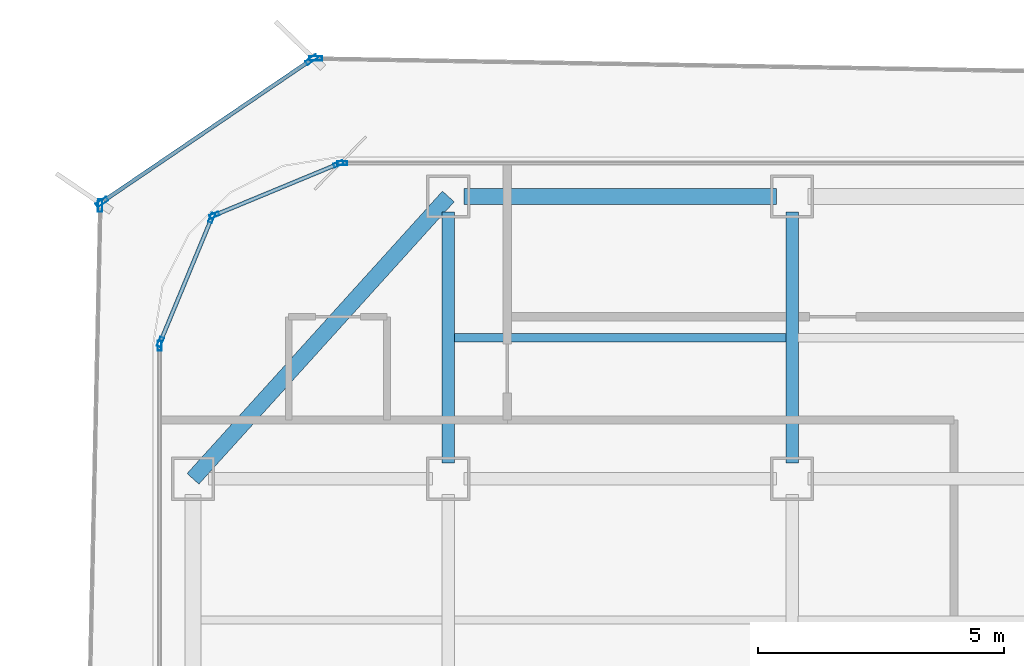
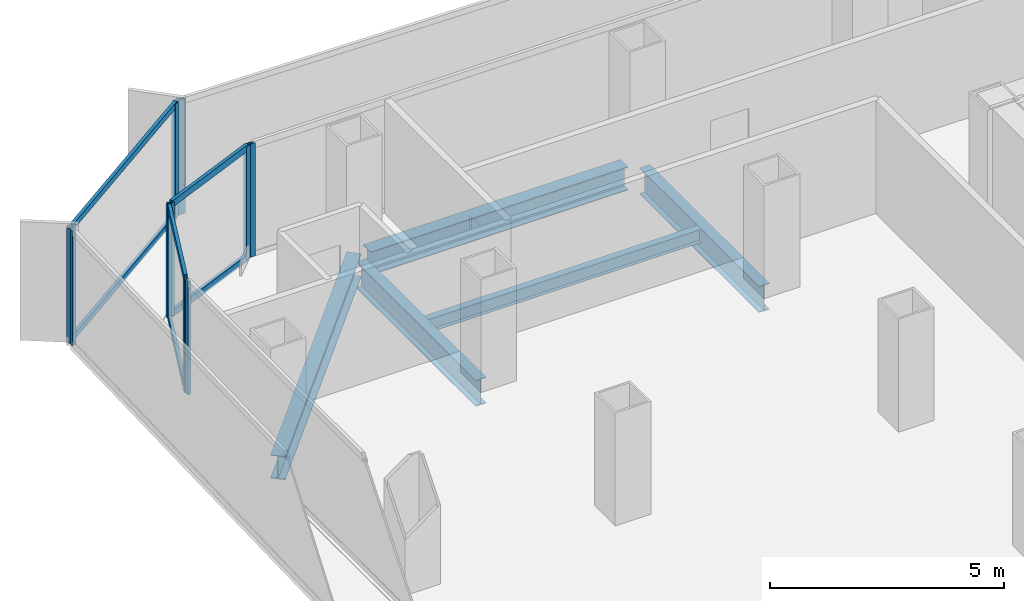
# One storey, part 10 of 21: 16 members, 5 beams, 7 elements without a shape of their own.
"""IFC4 building model written with IfcOpenShell, lengths in metres."""

from ifc_helpers import new_model, si_unit, direction, frame, origin, origin_2d, place, context, subcontext, project, spatial, hollow_rectangle, i_section, extrude, source, transform, mapped, material, layer, layer_set, material_profile, profile_set, type_object, element, aggregate, save


model = new_model("IFC4")

# Units and contexts
model_context = context("Model", 3, precision=1e-05, world=origin(), true_north=direction((0.0, 1.0)))
body_context = subcontext(model_context, "Body", "Model", "MODEL_VIEW")
ifc_project = project(units=[si_unit("LENGTHUNIT", "METRE"), si_unit("AREAUNIT", "SQUARE_METRE"), si_unit("VOLUMEUNIT", "CUBIC_METRE"), si_unit("PLANEANGLEUNIT", "RADIAN"), si_unit("MASSUNIT", "GRAM", prefix="KILO")], contexts=[model_context])

# Site, building, storey
site_placement = place(None, origin())
site = spatial("IfcSite", under=ifc_project, at=site_placement, CompositionType="ELEMENT")
building_placement = place(site_placement, origin())
building = spatial("IfcBuilding", under=site, at=building_placement, Name="Kolveth Station Tower", CompositionType="ELEMENT")
storey_placement = place(building_placement, frame((0.0, 0.0, 121.5)))
storey = spatial("IfcBuildingStorey", under=building, at=storey_placement, Name="L33", CompositionType="ELEMENT", Elevation=121.5)

# Beams
ifc_material_1 = material(Name="Steel S355", Category="steel")
ifc_material_profile_1 = material_profile(ifc_material_1, i_section(OverallWidth=0.323974609375, OverallDepth=0.611083984375, WebThickness=0.0126953125, FlangeThickness=0.01904296875, at=origin_2d()), Name="W610x155")
ifc_profile_set_1 = profile_set([ifc_material_profile_1], Name="Steel S355")
beam_type_1 = type_object("IfcBeamType", Name="Beam_SP2", PredefinedType="SPANDREL", material=ifc_profile_set_1)
shared_shape_1 = source(origin(), body_context, "Body", "SweptSolid", [
    extrude(i_section(OverallWidth=0.323974609375, OverallDepth=0.611083984375, WebThickness=0.0126953125, FlangeThickness=0.01904296875, at=origin_2d()), origin(), (0.0, 0.0, 1.0), 6.35986328125),
])
beam_1_placement = place(storey_placement, frame((6.320068359375, 34.5, -0.555419921875), z_axis=(1.0, 0.0, 0.0), x_axis=(0.0, 1.0, 0.0)))
element("IfcBeam", 1, at=beam_1_placement, inside=storey, type_object=beam_type_1, Name="L33 Perimeter Spandrel BM-L33-PN-1", PredefinedType="SPANDREL", context=body_context, shape_type="MappedRepresentation", body=[
    mapped(shared_shape_1, transform((0.0, 0.0, 0.0), x_axis=(1.0, 0.0, 0.0), y_axis=(0.0, 1.0, 0.0), z_axis=(0.0, 0.0, 1.0), scale=1.0)),
])
shared_shape_2 = source(origin(), body_context, "Body", "SweptSolid", [
    extrude(i_section(OverallWidth=0.323974609375, OverallDepth=0.611083984375, WebThickness=0.0126953125, FlangeThickness=0.01904296875, at=origin_2d()), origin(), (0.0, 0.0, 1.0), 7.75244140625),
])
beam_2_placement = place(storey_placement, frame((6.0, 34.5, -0.555419921875), z_axis=(-0.670740965555, -0.74169168603, 0.0), x_axis=(0.74169168603, -0.670740965555, 0.0)))
element("IfcBeam", 2, at=beam_2_placement, inside=storey, type_object=beam_type_1, Name="L33 Corner Edge Girder BM-L33-CNR-NW", PredefinedType="SPANDREL", context=body_context, shape_type="MappedRepresentation", body=[
    mapped(shared_shape_2, transform((0.0, 0.0, 0.0), x_axis=(1.0, 0.0, 0.0), y_axis=(0.0, 1.0, 0.0), z_axis=(0.0, 0.0, 1.0), scale=1.0)),
])
ifc_material_profile_2 = material_profile(ifc_material_1, i_section(OverallWidth=0.25390625, OverallDepth=0.68798828125, WebThickness=0.01318359375, FlangeThickness=0.02099609375, at=origin_2d()), Name="W690x152")
ifc_profile_set_2 = profile_set([ifc_material_profile_2], Name="Steel S355")
beam_type_2 = type_object("IfcBeamType", Name="Beam_B4", PredefinedType="BEAM", material=ifc_profile_set_2)
shared_shape_3 = source(origin(), body_context, "Body", "SweptSolid", [
    extrude(i_section(OverallWidth=0.25390625, OverallDepth=0.68798828125, WebThickness=0.01318359375, FlangeThickness=0.02099609375, at=origin_2d()), origin(), (0.0, 0.0, 1.0), 5.10986328125),
])
for number, where, z_axis, x_axis, name in (
    (3, (6.0, 29.070068359375, -0.593994140625), (0.0, 1.0, 0.0), (-1.0, 0.0, 0.0), "L33 Primary Girder BM-L33-GX60-6"),
    (4, (13.0, 29.070068359375, -0.593994140625), (0.0, 1.0, 0.0), (-1.0, 0.0, 0.0), "L33 Primary Girder BM-L33-GX130-6"),
):
    element("IfcBeam", number, at=place(storey_placement, frame(where, z_axis=z_axis, x_axis=x_axis)), inside=storey, type_object=beam_type_2, Name=name, PredefinedType="BEAM", context=body_context, shape_type="MappedRepresentation", body=[
        mapped(shared_shape_3, transform((0.0, 0.0, 0.0), x_axis=(1.0, 0.0, 0.0), y_axis=(0.0, 1.0, 0.0), z_axis=(0.0, 0.0, 1.0), scale=1.0)),
    ])
ifc_material_profile_3 = material_profile(ifc_material_1, i_section(OverallWidth=0.1708984375, OverallDepth=0.35205078125, WebThickness=0.0068359375, FlangeThickness=0.009765625, at=origin_2d()), Name="W360x44")
ifc_profile_set_3 = profile_set([ifc_material_profile_3], Name="Steel S355")
beam_type_3 = type_object("IfcBeamType", Name="Beam_J2", PredefinedType="JOIST", material=ifc_profile_set_3)
shared_shape_4 = source(origin(), body_context, "Body", "SweptSolid", [
    extrude(i_section(OverallWidth=0.1708984375, OverallDepth=0.35205078125, WebThickness=0.0068359375, FlangeThickness=0.009765625, at=origin_2d()), origin(), (0.0, 0.0, 1.0), 6.75),
])
beam_3_placement = place(storey_placement, frame((6.125, 31.625, -0.426025390625), z_axis=(1.0, 0.0, 0.0), x_axis=(0.0, 1.0, 0.0)))
element("IfcBeam", 5, at=beam_3_placement, inside=storey, type_object=beam_type_3, Name="L33 Secondary Joist JST-L33-2-6", PredefinedType="JOIST", context=body_context, shape_type="MappedRepresentation", body=[
    mapped(shared_shape_4, transform((0.0, 0.0, 0.0), x_axis=(1.0, 0.0, 0.0), y_axis=(0.0, 1.0, 0.0), z_axis=(0.0, 0.0, 1.0), scale=1.0)),
])

# Curtain wall, member
ifc_material_2 = material(Name="Aluminium 6063-T6 and low-E dark glass", Category="aluminium")
ifc_layer_1 = layer(ifc_material_2, 0.18994140625)
ifc_layer_set_1 = layer_set([ifc_layer_1], Name="Aluminium 6063-T6 and low-E dark glass")
curtain_wall_type_1 = type_object("IfcCurtainWallType", Name="CurtainWall_CW-Z2", PredefinedType="NOTDEFINED", material=ifc_layer_set_1)
curtain_wall_1_placement = place(storey_placement, origin())
curtain_wall_1 = element("IfcCurtainWall", 6, at=curtain_wall_1_placement, inside=storey, type_object=curtain_wall_type_1, Name="L33 Inner Thermal Curtain Wall 6", PredefinedType="NOTDEFINED")
ifc_material_3 = material(Name="Black anodized aluminium 6063-T6", Category="aluminium")
ifc_material_profile_4 = material_profile(ifc_material_3, hollow_rectangle(XDim=0.080078125, YDim=0.199951171875, WallThickness=0.0048828125, at=origin_2d()), Name="ALU-80x200x5")
ifc_profile_set_4 = profile_set([ifc_material_profile_4], Name="Black anodized aluminium 6063-T6")
member_type_1 = type_object("IfcMemberType", Name="Mullion_ML2", PredefinedType="MULLION", material=ifc_profile_set_4)
shared_shape_5 = source(origin(), body_context, "Body", "SweptSolid", [
    extrude(hollow_rectangle(XDim=0.080078125, YDim=0.199951171875, WallThickness=0.0048828125, at=origin_2d()), origin(), (0.0, 0.0, 1.0), 2.949951171875),
])
member_1_placement = place(storey_placement, frame((3.840087890625, 35.179931640625, 0.0), z_axis=(0.0, 0.0, 1.0), x_axis=(0.0, -1.0, 0.0)))
member_1 = element("IfcMember", 7, at=member_1_placement, type_object=member_type_1, Name="CW-Z2 mullion 3", PredefinedType="MULLION", context=body_context, shape_type="MappedRepresentation", body=[
    mapped(shared_shape_5, transform((0.0, 0.0, 0.0), x_axis=(1.0, 0.0, 0.0), y_axis=(0.0, 1.0, 0.0), z_axis=(0.0, 0.0, 1.0), scale=1.0)),
])
aggregate(curtain_wall_1, [member_1])

# Curtain wall, members
curtain_wall_2_placement = place(storey_placement, origin())
curtain_wall_2 = element("IfcCurtainWall", 8, at=curtain_wall_2_placement, inside=storey, type_object=curtain_wall_type_1, Name="L33 Inner Thermal Curtain Wall 7", PredefinedType="NOTDEFINED")
member_2_placement = place(storey_placement, frame((3.762939453125, 35.164794921875, 0.0), z_axis=(0.0, 0.0, 1.0), x_axis=(0.38266326998, -0.923887883787, 0.0)))
member_2 = element("IfcMember", 9, at=member_2_placement, type_object=member_type_1, Name="CW-Z2 mullion 1", PredefinedType="MULLION", context=body_context, shape_type="MappedRepresentation", body=[
    mapped(shared_shape_5, transform((0.0, 0.0, 0.0), x_axis=(1.0, 0.0, 0.0), y_axis=(0.0, 1.0, 0.0), z_axis=(0.0, 0.0, 1.0), scale=1.0)),
])
member_3_placement = place(storey_placement, frame((1.23486328125, 34.117431640625, 0.0), z_axis=(0.0, 0.0, 1.0), x_axis=(0.38266326998, -0.923887883787, 0.0)))
member_3 = element("IfcMember", 10, at=member_3_placement, type_object=member_type_1, Name="CW-Z2 mullion 2", PredefinedType="MULLION", context=body_context, shape_type="MappedRepresentation", body=[
    mapped(shared_shape_5, transform((0.0, 0.0, 0.0), x_axis=(1.0, 0.0, 0.0), y_axis=(0.0, 1.0, 0.0), z_axis=(0.0, 0.0, 1.0), scale=1.0)),
])

curtain_wall_3_placement = place(storey_placement, origin())
curtain_wall_3 = element("IfcCurtainWall", 11, at=curtain_wall_3_placement, inside=storey, type_object=curtain_wall_type_1, Name="L33 Inner Thermal Curtain Wall 8", PredefinedType="NOTDEFINED")
member_4_placement = place(storey_placement, frame((1.182373046875, 34.065185546875, 0.0), z_axis=(0.0, 0.0, 1.0), x_axis=(0.923887883787, -0.38266326998, 0.0)))
member_4 = element("IfcMember", 12, at=member_4_placement, type_object=member_type_1, Name="CW-Z2 mullion 1", PredefinedType="MULLION", context=body_context, shape_type="MappedRepresentation", body=[
    mapped(shared_shape_5, transform((0.0, 0.0, 0.0), x_axis=(1.0, 0.0, 0.0), y_axis=(0.0, 1.0, 0.0), z_axis=(0.0, 0.0, 1.0), scale=1.0)),
])
member_5_placement = place(storey_placement, frame((0.13525390625, 31.536865234375, 0.0), z_axis=(0.0, 0.0, 1.0), x_axis=(0.923887883787, -0.38266326998, 0.0)))
member_5 = element("IfcMember", 13, at=member_5_placement, type_object=member_type_1, Name="CW-Z2 mullion 2", PredefinedType="MULLION", context=body_context, shape_type="MappedRepresentation", body=[
    mapped(shared_shape_5, transform((0.0, 0.0, 0.0), x_axis=(1.0, 0.0, 0.0), y_axis=(0.0, 1.0, 0.0), z_axis=(0.0, 0.0, 1.0), scale=1.0)),
])

# Curtain wall, member
curtain_wall_4_placement = place(storey_placement, origin())
curtain_wall_4 = element("IfcCurtainWall", 14, at=curtain_wall_4_placement, inside=storey, type_object=curtain_wall_type_1, Name="L33 Inner Thermal Curtain Wall 9", PredefinedType="NOTDEFINED")
member_6_placement = place(storey_placement, frame((0.1201171875, 31.4599609375, 0.0), z_axis=(0.0, 0.0, 1.0), x_axis=(1.0, 0.0, 0.0)))
member_6 = element("IfcMember", 15, at=member_6_placement, type_object=member_type_1, Name="CW-Z2 mullion 1", PredefinedType="MULLION", context=body_context, shape_type="MappedRepresentation", body=[
    mapped(shared_shape_5, transform((0.0, 0.0, 0.0), x_axis=(1.0, 0.0, 0.0), y_axis=(0.0, 1.0, 0.0), z_axis=(0.0, 0.0, 1.0), scale=1.0)),
])
aggregate(curtain_wall_4, [member_6])

# Member
ifc_material_profile_5 = material_profile(ifc_material_3, hollow_rectangle(XDim=0.080078125, YDim=0.169921875, WallThickness=0.0048828125, at=origin_2d()), Name="ALU-80x170x5")
ifc_profile_set_5 = profile_set([ifc_material_profile_5], Name="Black anodized aluminium 6063-T6")
member_type_2 = type_object("IfcMemberType", Name="Transom_TR2", PredefinedType="USERDEFINED", material=ifc_profile_set_5)
shared_shape_6 = source(origin(), body_context, "Body", "SweptSolid", [
    extrude(hollow_rectangle(XDim=0.080078125, YDim=0.169921875, WallThickness=0.0048828125, at=origin_2d()), origin(), (0.0, 0.0, 1.0), 2.656494140625),
])
member_7_placement = place(storey_placement, frame((3.72607421875, 35.1494140625, 0.0400390625), z_axis=(-0.923882422403, -0.382676455475, 0.0), x_axis=(0.382676455475, -0.923882422403, 0.0)))
member_7 = element("IfcMember", 16, at=member_7_placement, type_object=member_type_2, Name="CW-Z2 transom 1.1", ObjectType="TRANSOM", PredefinedType="USERDEFINED", context=body_context, shape_type="MappedRepresentation", body=[
    mapped(shared_shape_6, transform((0.0, 0.0, 0.0), x_axis=(1.0, 0.0, 0.0), y_axis=(0.0, 1.0, 0.0), z_axis=(0.0, 0.0, 1.0), scale=1.0)),
])

member_8_placement = place(storey_placement, frame((3.72607421875, 35.1494140625, 2.909912109375), z_axis=(-0.923882422403, -0.382676455475, 0.0), x_axis=(0.382676455475, -0.923882422403, 0.0)))
member_8 = element("IfcMember", 17, at=member_8_placement, type_object=member_type_2, Name="CW-Z2 transom 1.2", ObjectType="TRANSOM", PredefinedType="USERDEFINED", context=body_context, shape_type="MappedRepresentation", body=[
    mapped(shared_shape_6, transform((0.0, 0.0, 0.0), x_axis=(1.0, 0.0, 0.0), y_axis=(0.0, 1.0, 0.0), z_axis=(0.0, 0.0, 1.0), scale=1.0)),
])

aggregate(curtain_wall_2, [member_2, member_3, member_7, member_8])

member_9_placement = place(storey_placement, frame((1.167236328125, 34.0283203125, 0.0400390625), z_axis=(-0.382676455475, -0.923882422403, 0.0), x_axis=(0.923882422403, -0.382676455475, 0.0)))
member_9 = element("IfcMember", 18, at=member_9_placement, type_object=member_type_2, Name="CW-Z2 transom 1.1", ObjectType="TRANSOM", PredefinedType="USERDEFINED", context=body_context, shape_type="MappedRepresentation", body=[
    mapped(shared_shape_6, transform((0.0, 0.0, 0.0), x_axis=(1.0, 0.0, 0.0), y_axis=(0.0, 1.0, 0.0), z_axis=(0.0, 0.0, 1.0), scale=1.0)),
])

member_10_placement = place(storey_placement, frame((1.167236328125, 34.0283203125, 2.909912109375), z_axis=(-0.382676455475, -0.923882422403, 0.0), x_axis=(0.923882422403, -0.382676455475, 0.0)))
member_10 = element("IfcMember", 19, at=member_10_placement, type_object=member_type_2, Name="CW-Z2 transom 1.2", ObjectType="TRANSOM", PredefinedType="USERDEFINED", context=body_context, shape_type="MappedRepresentation", body=[
    mapped(shared_shape_6, transform((0.0, 0.0, 0.0), x_axis=(1.0, 0.0, 0.0), y_axis=(0.0, 1.0, 0.0), z_axis=(0.0, 0.0, 1.0), scale=1.0)),
])

aggregate(curtain_wall_3, [member_4, member_5, member_9, member_10])

# Curtain wall, member
ifc_material_4 = material(Name="Black anodized aluminium 6063-T6 and dark solar glass", Category="aluminium")
ifc_layer_2 = layer(ifc_material_4, 0.159912109375)
ifc_layer_set_2 = layer_set([ifc_layer_2], Name="Black anodized aluminium 6063-T6 and dark solar glass")
curtain_wall_type_2 = type_object("IfcCurtainWallType", Name="OUTER SKIN CW-OS", PredefinedType="NOTDEFINED", material=ifc_layer_set_2)
curtain_wall_5_placement = place(storey_placement, origin())
curtain_wall_5 = element("IfcCurtainWall", 20, at=curtain_wall_5_placement, inside=storey, type_object=curtain_wall_type_2, Name="L33 Outer Ventilated Skin Curtain Wall 4", PredefinedType="NOTDEFINED")
ifc_material_profile_6 = material_profile(ifc_material_3, hollow_rectangle(XDim=0.090087890625, YDim=0.260009765625, WallThickness=0.0048828125, at=origin_2d()), Name="ALU-90x260x5")
ifc_profile_set_6 = profile_set([ifc_material_profile_6], Name="Black anodized aluminium 6063-T6")
member_type_3 = type_object("IfcMemberType", Name="FIN MULLION ML-OS", PredefinedType="MULLION", material=ifc_profile_set_6)
shared_shape_7 = source(origin(), body_context, "Body", "SweptSolid", [
    extrude(hollow_rectangle(XDim=0.090087890625, YDim=0.260009765625, WallThickness=0.0048828125, at=origin_2d()), origin(), (0.0, 0.0, 1.0), 2.989990234375),
])
member_11_placement = place(storey_placement, frame((3.298583984375, 37.311767578125, 0.0), z_axis=(0.0, 0.0, 1.0), x_axis=(-0.017367435746, -0.999849174714, 0.0)))
member_11 = element("IfcMember", 21, at=member_11_placement, type_object=member_type_3, Name="CW-OS mullion 2", PredefinedType="MULLION", context=body_context, shape_type="MappedRepresentation", body=[
    mapped(shared_shape_7, transform((0.0, 0.0, 0.0), x_axis=(1.0, 0.0, 0.0), y_axis=(0.0, 1.0, 0.0), z_axis=(0.0, 0.0, 1.0), scale=1.0)),
])
aggregate(curtain_wall_5, [member_11])

# Curtain wall, members
curtain_wall_6_placement = place(storey_placement, origin())
curtain_wall_6 = element("IfcCurtainWall", 22, at=curtain_wall_6_placement, inside=storey, type_object=curtain_wall_type_2, Name="L33 Outer Ventilated Skin Curtain Wall 5", PredefinedType="NOTDEFINED")
member_12_placement = place(storey_placement, frame((3.21630859375, 37.287109375, 0.0), z_axis=(0.0, 0.0, 1.0), x_axis=(0.561929746761, -0.827184961, 0.0)))
member_12 = element("IfcMember", 23, at=member_12_placement, type_object=member_type_3, Name="CW-OS mullion 1", PredefinedType="MULLION", context=body_context, shape_type="MappedRepresentation", body=[
    mapped(shared_shape_7, transform((0.0, 0.0, 0.0), x_axis=(1.0, 0.0, 0.0), y_axis=(0.0, 1.0, 0.0), z_axis=(0.0, 0.0, 1.0), scale=1.0)),
])
member_13_placement = place(storey_placement, frame((-1.05322265625, 34.38671875, 0.0), z_axis=(0.0, 0.0, 1.0), x_axis=(0.561929746761, -0.827184961, 0.0)))
member_13 = element("IfcMember", 24, at=member_13_placement, type_object=member_type_3, Name="CW-OS mullion 2", PredefinedType="MULLION", context=body_context, shape_type="MappedRepresentation", body=[
    mapped(shared_shape_7, transform((0.0, 0.0, 0.0), x_axis=(1.0, 0.0, 0.0), y_axis=(0.0, 1.0, 0.0), z_axis=(0.0, 0.0, 1.0), scale=1.0)),
])

# Curtain wall, member
curtain_wall_7_placement = place(storey_placement, origin())
curtain_wall_7 = element("IfcCurtainWall", 25, at=curtain_wall_7_placement, inside=storey, type_object=curtain_wall_type_2, Name="L33 Outer Ventilated Skin Curtain Wall 6", PredefinedType="NOTDEFINED")
member_14_placement = place(storey_placement, frame((-1.091552734375, 34.31640625, 0.0), z_axis=(0.0, 0.0, 1.0), x_axis=(0.999763237903, -0.021759322998, 0.0)))
member_14 = element("IfcMember", 26, at=member_14_placement, type_object=member_type_3, Name="CW-OS mullion 1", PredefinedType="MULLION", context=body_context, shape_type="MappedRepresentation", body=[
    mapped(shared_shape_7, transform((0.0, 0.0, 0.0), x_axis=(1.0, 0.0, 0.0), y_axis=(0.0, 1.0, 0.0), z_axis=(0.0, 0.0, 1.0), scale=1.0)),
])
aggregate(curtain_wall_7, [member_14])

# Member
ifc_material_profile_7 = material_profile(ifc_material_3, hollow_rectangle(XDim=0.080078125, YDim=0.14990234375, WallThickness=0.0048828125, at=origin_2d()), Name="ALU-80x150x5")
ifc_profile_set_7 = profile_set([ifc_material_profile_7], Name="Black anodized aluminium 6063-T6")
member_type_4 = type_object("IfcMemberType", Name="Transom_TR-OS", PredefinedType="USERDEFINED", material=ifc_profile_set_7)
shared_shape_8 = source(origin(), body_context, "Body", "SweptSolid", [
    extrude(hollow_rectangle(XDim=0.080078125, YDim=0.14990234375, WallThickness=0.0048828125, at=origin_2d()), origin(), (0.0, 0.0, 1.0), 5.071533203125),
])
member_15_placement = place(storey_placement, frame((3.178955078125, 37.261962890625, 0.0400390625), z_axis=(-0.827182493633, -0.561933378815, 0.0), x_axis=(0.561933378815, -0.827182493633, 0.0)))
member_15 = element("IfcMember", 27, at=member_15_placement, type_object=member_type_4, Name="CW-OS transom 1.1", ObjectType="TRANSOM", PredefinedType="USERDEFINED", context=body_context, shape_type="MappedRepresentation", body=[
    mapped(shared_shape_8, transform((0.0, 0.0, 0.0), x_axis=(1.0, 0.0, 0.0), y_axis=(0.0, 1.0, 0.0), z_axis=(0.0, 0.0, 1.0), scale=1.0)),
])

member_16_placement = place(storey_placement, frame((3.178955078125, 37.261962890625, 2.949951171875), z_axis=(-0.827182493633, -0.561933378815, 0.0), x_axis=(0.561933378815, -0.827182493633, 0.0)))
member_16 = element("IfcMember", 28, at=member_16_placement, type_object=member_type_4, Name="CW-OS transom 1.2", ObjectType="TRANSOM", PredefinedType="USERDEFINED", context=body_context, shape_type="MappedRepresentation", body=[
    mapped(shared_shape_8, transform((0.0, 0.0, 0.0), x_axis=(1.0, 0.0, 0.0), y_axis=(0.0, 1.0, 0.0), z_axis=(0.0, 0.0, 1.0), scale=1.0)),
])

aggregate(curtain_wall_6, [member_12, member_13, member_15, member_16])

save(model, "model.ifc")
